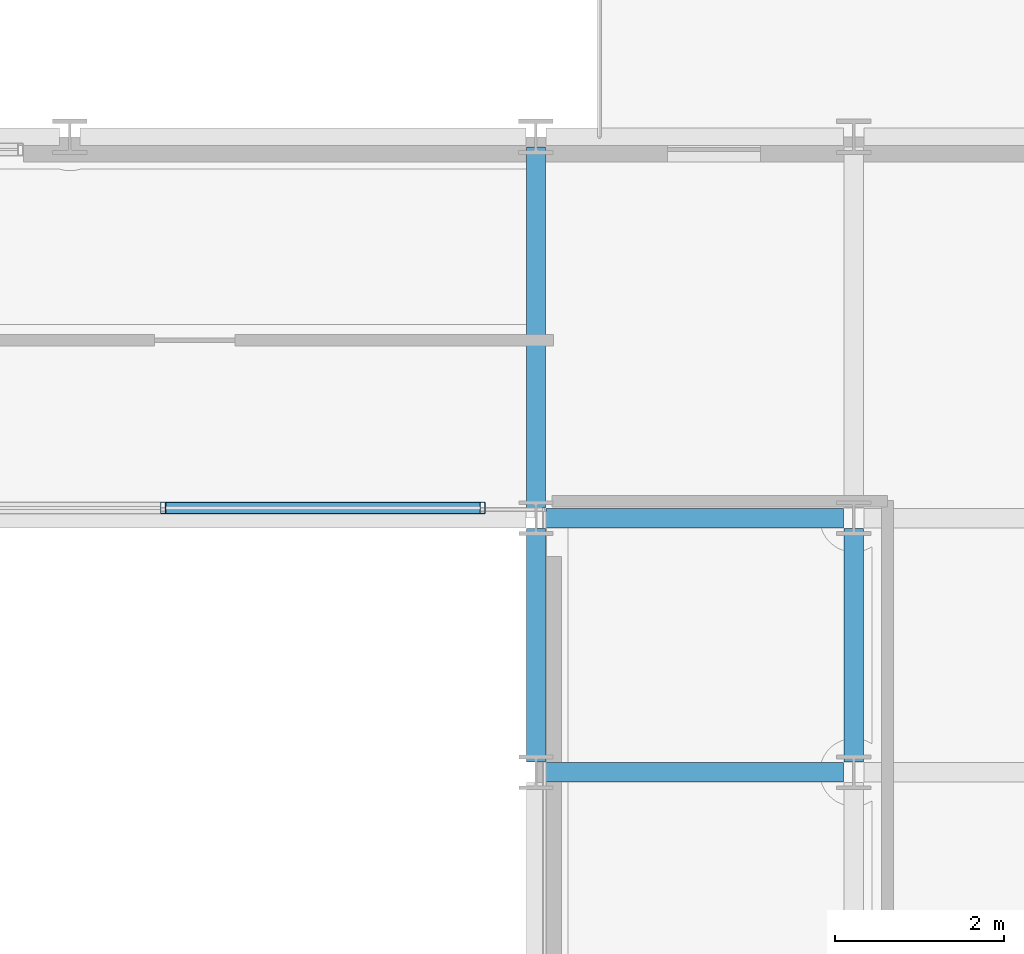
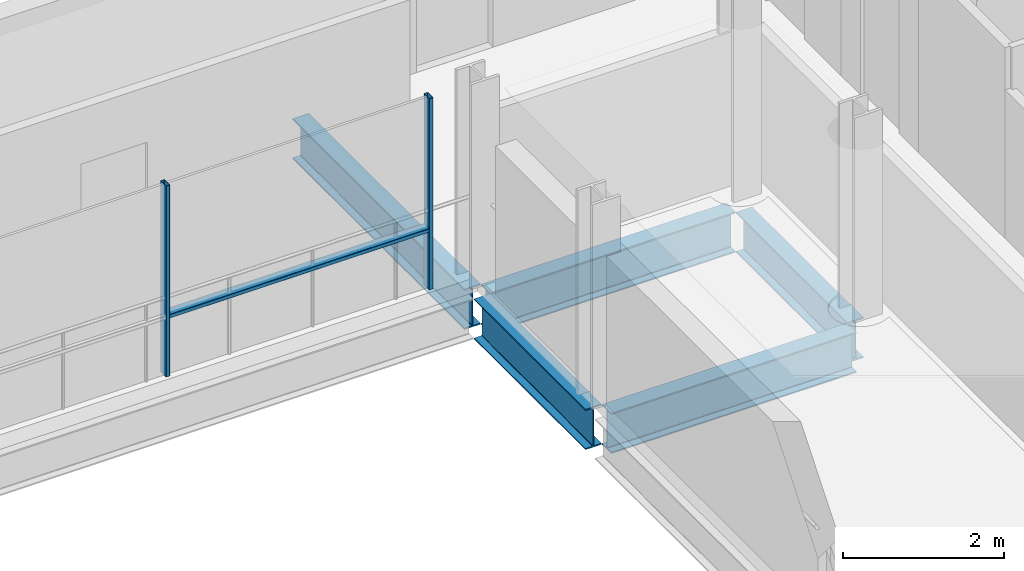
# One storey, part 19 of 41: 5 beams, 3 members, 1 element without a shape of its own.
"""IFC4 building model written with IfcOpenShell, lengths in metres."""

from ifc_helpers import new_model, si_unit, direction, frame, origin, origin_2d, place, context, subcontext, project, spatial, hollow_rectangle, i_section, extrude, material, layer, layer_set, material_profile, profile_set, type_object, element, aggregate, save


model = new_model("IFC4")

# Units and contexts
model_context = context("Model", 3, precision=1e-05, world=origin(), true_north=direction((0.0, 1.0)))
body_context = subcontext(model_context, "Body", "Model", "MODEL_VIEW")
ifc_project = project(units=[si_unit("LENGTHUNIT", "METRE"), si_unit("AREAUNIT", "SQUARE_METRE"), si_unit("VOLUMEUNIT", "CUBIC_METRE"), si_unit("PLANEANGLEUNIT", "RADIAN"), si_unit("MASSUNIT", "GRAM", prefix="KILO")], contexts=[model_context])

# Site, building, storey
site_placement = place(None, origin())
site = spatial("IfcSite", under=ifc_project, at=site_placement, CompositionType="ELEMENT")
building_placement = place(site_placement, origin())
building = spatial("IfcBuilding", under=site, at=building_placement, Name="Brevholm Reach", CompositionType="ELEMENT")
storey_placement = place(building_placement, frame((0.0, 0.0, 169.699951171875)))
storey = spatial("IfcBuildingStorey", under=building, at=storey_placement, Name="L51", CompositionType="ELEMENT", Elevation=169.699951171875)

# Beams
ifc_material_1 = material(Name="Structural Steel S355J2", Category="steel")
ifc_material_profile_1 = material_profile(ifc_material_1, i_section(OverallWidth=0.22900390625, OverallDepth=0.6123046875, WebThickness=0.011962890625, FlangeThickness=0.01953125, FilletRadius=0.0126953125, at=origin_2d()), Name="UKB 610x229x125")
ifc_profile_set_1 = profile_set([ifc_material_profile_1], Name="Structural Steel S355J2")
beam_type = type_object("IfcBeamType", Name="BM-SP610", PredefinedType="SPANDREL", material=ifc_profile_set_1)
for number, where, z_axis, x_axis, name in (
    (1, (38.3701171875, 23.5, -0.526123046875), (1.0, 0.0, 0.0), (0.0, 1.0, 0.0), "L51 SP-01 Framing Beam"),
    (2, (38.3701171875, 26.5, -0.526123046875), (1.0, 0.0, 0.0), (0.0, 1.0, 0.0), "L51 SP-01 Framing Beam"),
):
    element("IfcBeam", number, at=place(storey_placement, frame(where, z_axis=z_axis, x_axis=x_axis)), inside=storey, type_object=beam_type, Name=name, PredefinedType="SPANDREL", context=body_context, shape_type="SweptSolid", body=[
        extrude(i_section(OverallWidth=0.22900390625, OverallDepth=0.6123046875, WebThickness=0.011962890625, FlangeThickness=0.01953125, FilletRadius=0.0126953125, at=origin_2d()), origin(), (0.0, 0.0, 1.0), 3.509765625),
    ])
beam_1_placement = place(storey_placement, frame((38.25, 23.6201171875, -0.526123046875), z_axis=(0.0, 1.0, 0.0), x_axis=(-1.0, 0.0, 0.0)))
element("IfcBeam", 3, at=beam_1_placement, inside=storey, type_object=beam_type, Name="L51 SP-01 Framing Beam", PredefinedType="SPANDREL", context=body_context, shape_type="SweptSolid", body=[
    extrude(i_section(OverallWidth=0.22900390625, OverallDepth=0.6123046875, WebThickness=0.011962890625, FlangeThickness=0.01953125, FilletRadius=0.0126953125, at=origin_2d()), origin(), (0.0, 0.0, 1.0), 2.759765625),
])
beam_2_placement = place(storey_placement, frame((38.25, 26.6201171875, -0.526123046875), z_axis=(0.0, 1.0, 0.0), x_axis=(-1.0, 0.0, 0.0)))
element("IfcBeam", 4, at=beam_2_placement, inside=storey, type_object=beam_type, Name="L51 SP-01 Framing Beam", PredefinedType="SPANDREL", context=body_context, shape_type="SweptSolid", body=[
    extrude(i_section(OverallWidth=0.22900390625, OverallDepth=0.6123046875, WebThickness=0.011962890625, FlangeThickness=0.01953125, FilletRadius=0.0126953125, at=origin_2d()), origin(), (0.0, 0.0, 1.0), 4.259765625),
])
beam_3_placement = place(storey_placement, frame((42.0, 23.6201171875, -0.526123046875), z_axis=(0.0, 1.0, 0.0), x_axis=(-1.0, 0.0, 0.0)))
element("IfcBeam", 5, at=beam_3_placement, inside=storey, type_object=beam_type, Name="L51 SP-01 Framing Beam", PredefinedType="SPANDREL", context=body_context, shape_type="SweptSolid", body=[
    extrude(i_section(OverallWidth=0.22900390625, OverallDepth=0.6123046875, WebThickness=0.011962890625, FlangeThickness=0.01953125, FilletRadius=0.0126953125, at=origin_2d()), origin(), (0.0, 0.0, 1.0), 2.759765625),
])

# Curtain wall, members
ifc_material_2 = material(Name="Dark Anodised Aluminium 6063-T6 and Solar-Control Glass", Category="aluminium")
ifc_layer = layer(ifc_material_2, 0.139892578125)
ifc_layer_set = layer_set([ifc_layer], Name="Dark Anodised Aluminium 6063-T6 and Solar-Control Glass")
curtain_wall_type = type_object("IfcCurtainWallType", Name="CW-02", PredefinedType="NOTDEFINED", material=ifc_layer_set)
curtain_wall_placement = place(storey_placement, origin())
curtain_wall = element("IfcCurtainWall", 6, at=curtain_wall_placement, inside=storey, type_object=curtain_wall_type, Name="L51 Curtain Wall CW-02", PredefinedType="NOTDEFINED")
ifc_material_3 = material(Name="Dark Anodised Aluminium 6063-T6", Category="aluminium")
ifc_material_profile_2 = material_profile(ifc_material_3, hollow_rectangle(XDim=0.06005859375, YDim=0.139892578125, WallThickness=0.0048828125, InnerFilletRadius=0.0048828125, OuterFilletRadius=0.010009765625, at=origin_2d()), Name="RHS 140x60x5")
ifc_profile_set_2 = profile_set([ifc_material_profile_2], Name="Dark Anodised Aluminium 6063-T6")
member_type_1 = type_object("IfcMemberType", Name="CWM-140", PredefinedType="MULLION", material=ifc_profile_set_2)
member_1_placement = place(storey_placement, frame((37.6201171875, 26.6201171875, 0.0), z_axis=(0.0, 0.0, 1.0), x_axis=(-1.0, 0.0, 0.0)))
member_1 = element("IfcMember", 7, at=member_1_placement, type_object=member_type_1, Name="CM-140 Mullion 1", PredefinedType="MULLION", context=body_context, shape_type="SweptSolid", body=[
    extrude(hollow_rectangle(XDim=0.06005859375, YDim=0.139892578125, WallThickness=0.0048828125, InnerFilletRadius=0.0048828125, OuterFilletRadius=0.010009765625, at=origin_2d()), origin(), (0.0, 0.0, 1.0), 2.89013671875),
])
member_2_placement = place(storey_placement, frame((33.85009765625, 26.6201171875, 0.0), z_axis=(0.0, 0.0, 1.0), x_axis=(-1.0, 0.0, 0.0)))
member_2 = element("IfcMember", 8, at=member_2_placement, type_object=member_type_1, Name="CM-140 Mullion 2", PredefinedType="MULLION", context=body_context, shape_type="SweptSolid", body=[
    extrude(hollow_rectangle(XDim=0.06005859375, YDim=0.139892578125, WallThickness=0.0048828125, InnerFilletRadius=0.0048828125, OuterFilletRadius=0.010009765625, at=origin_2d()), origin(), (0.0, 0.0, 1.0), 2.89013671875),
])
ifc_material_4 = material(Name="Dark Anodised Aluminium 6063-T6", Category="aluminium")
ifc_material_profile_3 = material_profile(ifc_material_4, hollow_rectangle(XDim=0.06005859375, YDim=0.139892578125, WallThickness=0.0048828125, InnerFilletRadius=0.0048828125, OuterFilletRadius=0.010009765625, at=origin_2d()), Name="RHS 140x60x5")
ifc_profile_set_3 = profile_set([ifc_material_profile_3], Name="Dark Anodised Aluminium 6063-T6")
member_type_2 = type_object("IfcMemberType", Name="CWT-140", PredefinedType="NOTDEFINED", material=ifc_profile_set_3)
member_3_placement = place(storey_placement, frame((37.590087890625, 26.6201171875, 0.900146484375), z_axis=(-1.0, 0.0, 0.0), x_axis=(0.0, 0.0, 1.0)))
member_3 = element("IfcMember", 9, at=member_3_placement, type_object=member_type_2, Name="CT-140 Transom 1.1", ObjectType="TRANSOM", PredefinedType="USERDEFINED", context=body_context, shape_type="SweptSolid", body=[
    extrude(hollow_rectangle(XDim=0.06005859375, YDim=0.139892578125, WallThickness=0.0048828125, InnerFilletRadius=0.0048828125, OuterFilletRadius=0.010009765625, at=origin_2d()), origin(), (0.0, 0.0, 1.0), 3.710205078125),
])
aggregate(curtain_wall, [member_1, member_2, member_3])

save(model, "model.ifc")
